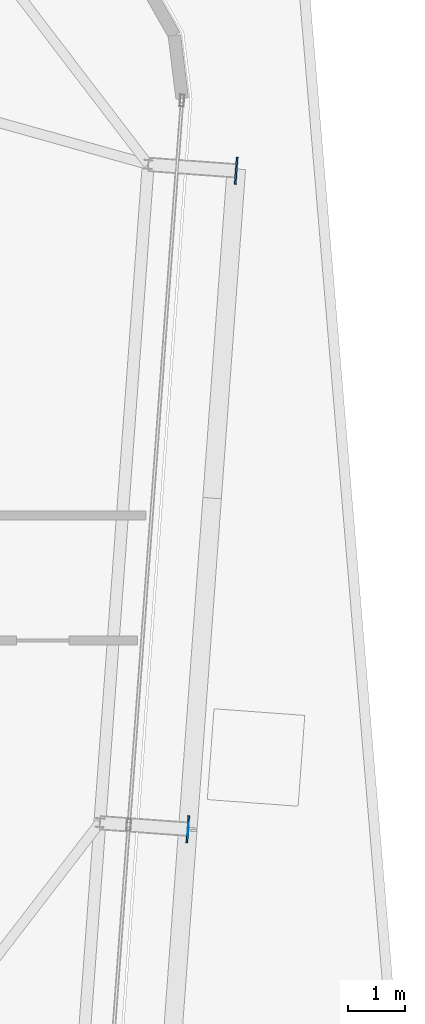
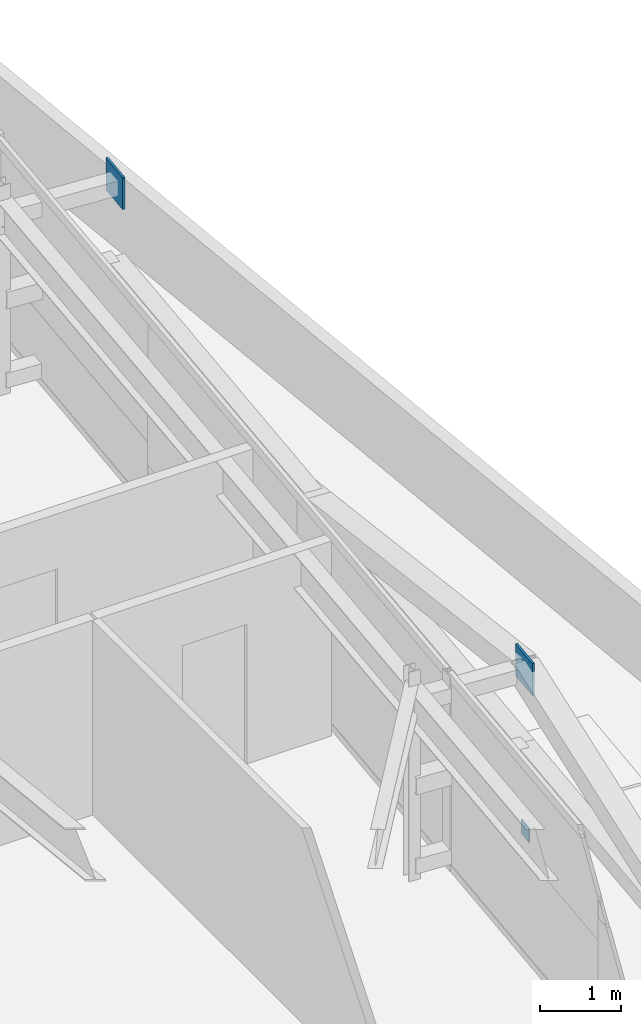
# One storey, part 29 of 37: 3 plates.
"""IFC4 building model written with IfcOpenShell, lengths in metres."""

from ifc_helpers import new_model, si_unit, direction, frame, origin, origin_2d, place, context, subcontext, project, spatial, rectangle, extrude, source, transform, mapped, material, layer, layer_set, type_object, element, save


model = new_model("IFC4")

# Units and contexts
model_context = context("Model", 3, precision=1e-05, world=origin(), true_north=direction((0.0, 1.0)))
body_context = subcontext(model_context, "Body", "Model", "MODEL_VIEW")
ifc_project = project(units=[si_unit("LENGTHUNIT", "METRE"), si_unit("AREAUNIT", "SQUARE_METRE"), si_unit("VOLUMEUNIT", "CUBIC_METRE"), si_unit("PLANEANGLEUNIT", "RADIAN"), si_unit("MASSUNIT", "GRAM", prefix="KILO")], contexts=[model_context])

# Site, building, storey
site_placement = place(None, origin())
site = spatial("IfcSite", under=ifc_project, at=site_placement, CompositionType="ELEMENT")
building_placement = place(site_placement, origin())
building = spatial("IfcBuilding", under=site, at=building_placement, Name="Taldren Reach Tower", CompositionType="ELEMENT")
storey_placement = place(building_placement, frame((0.0, 0.0, 211.39990234375)))
storey = spatial("IfcBuildingStorey", under=building, at=storey_placement, Name="L64", CompositionType="ELEMENT", Elevation=211.39990234375)

# Plates
ifc_material = material(Name="Steel Gr 450 (C450L0)", Category="steel")
ifc_layer_1 = layer(ifc_material, 0.031982421875)
ifc_layer_set_1 = layer_set([ifc_layer_1], Name="Steel Gr 450 (C450L0)")
plate_type_1 = type_object("IfcPlateType", Name="PL-GUSSET-32", PredefinedType="SHEET", material=ifc_layer_set_1)
shared_shape_1 = source(origin(), body_context, "Body", "SweptSolid", [
    extrude(rectangle(XDim=0.47998046875, YDim=0.031982421875, at=origin_2d()), origin(), (0.0, 0.0, 1.0), 0.47998046875),
])
for number, where, z_axis, x_axis, name in (
    (1, (58.237060546875, 18.486328125, 2.41015625), (0.0, 0.0, 1.0), (0.073238197128, 0.997314477224, 0.0), "Exoskeleton star-node gusset plate B5-E2 L64"),
    (2, (59.086669921875, 30.05517578125, 2.41015625), (0.0, 0.0, 1.0), (0.073238197128, 0.997314477224, 0.0), "Exoskeleton star-node gusset plate B5-E3 L64"),
):
    element("IfcPlate", number, at=place(storey_placement, frame(where, z_axis=z_axis, x_axis=x_axis)), inside=storey, type_object=plate_type_1, Name=name, PredefinedType="SHEET", context=body_context, shape_type="MappedRepresentation", body=[
        mapped(shared_shape_1, transform((0.0, 0.0, 0.0), scale=1.0)),
    ])
ifc_layer_2 = layer(ifc_material, 0.011962890625)
ifc_layer_set_2 = layer_set([ifc_layer_2], Name="Steel Gr 450 (C450L0)")
plate_type_2 = type_object("IfcPlateType", Name="PL-CAP-220", PredefinedType="SHEET", material=ifc_layer_set_2)
shared_shape_2 = source(origin(), body_context, "Body", "SweptSolid", [
    extrude(rectangle(XDim=0.011962890625, YDim=0.219970703125, at=origin_2d()), origin(), (0.0, 0.0, 1.0), 0.219970703125),
])
plate_placement = place(storey_placement, frame((58.2431640625, 18.48583984375, 0.1103515625), z_axis=(0.0, 0.0, 1.0), x_axis=(0.997314477224, -0.073238197128, 0.0)))
element("IfcPlate", 3, at=plate_placement, inside=storey, type_object=plate_type_2, Name="Tie strut end cap plate B5-E2 L64", PredefinedType="SHEET", context=body_context, shape_type="MappedRepresentation", body=[
    mapped(shared_shape_2, transform((0.0, 0.0, 0.0), scale=1.0)),
])

save(model, "model.ifc")
